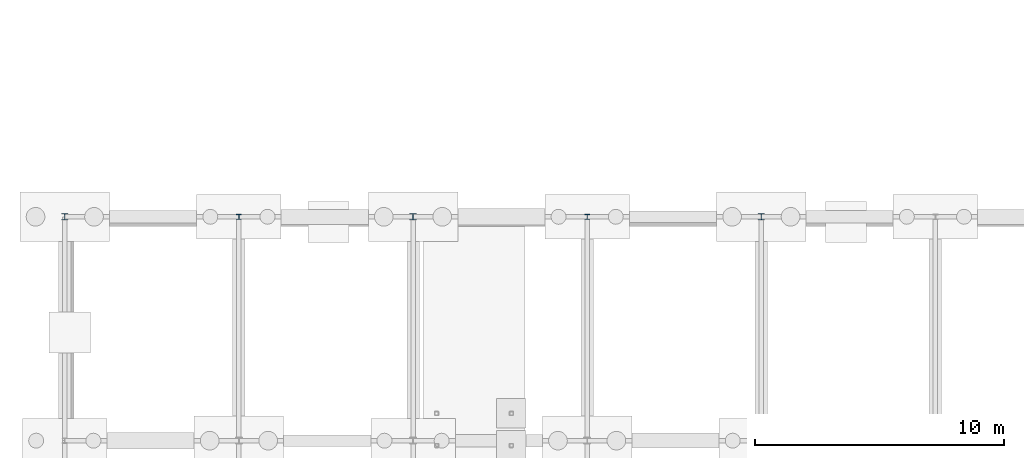
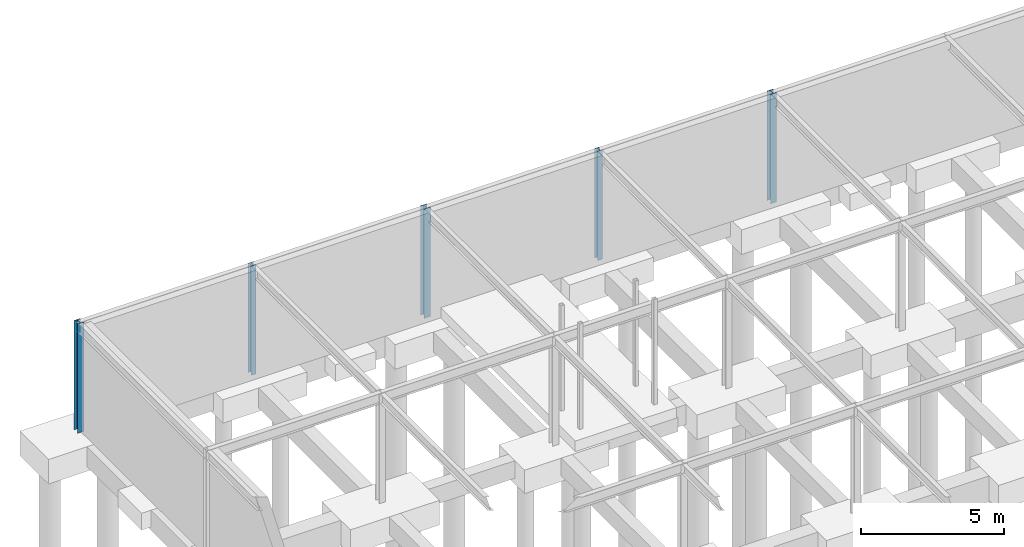
# One storey, part 25 of 75: 5 columns.
"""IFC4 building model written with IfcOpenShell, lengths in metres."""

from ifc_helpers import new_model, si_unit, derived_unit, direction, frame, origin, origin_2d_with_axis, place, context, subcontext, project, spatial, i_section, extrude, material, material_profile, profile_set, type_object, element, save


model = new_model("IFC4")

# Units and contexts
model_context = context("Model", 3, precision=1e-05, world=origin(), true_north=direction((0.0, 1.0)))
body_context = subcontext(model_context, "Body", "Model", "MODEL_VIEW")
ifc_project = project(units=[si_unit("LENGTHUNIT", "METRE"), si_unit("AREAUNIT", "SQUARE_METRE"), si_unit("VOLUMEUNIT", "CUBIC_METRE"), si_unit("PLANEANGLEUNIT", "RADIAN"), si_unit("MASSUNIT", "GRAM", prefix="KILO"), derived_unit("THERMALTRANSMITTANCEUNIT", [(si_unit("POWERUNIT", "WATT"), 1), (si_unit("LENGTHUNIT", "METRE"), -2), (si_unit("THERMODYNAMICTEMPERATUREUNIT", "KELVIN"), -1)])], contexts=[model_context])

# Site, building, storey
site_placement = place(None, origin())
site = spatial("IfcSite", under=ifc_project, at=site_placement, CompositionType="ELEMENT")
building_placement = place(site_placement, origin())
building = spatial("IfcBuilding", under=site, at=building_placement, Name="Cinnabar Yard Market Hall", CompositionType="ELEMENT")
storey_placement = place(building_placement, frame((0.0, 0.0, -4.5)))
storey = spatial("IfcBuildingStorey", under=building, at=storey_placement, Name="B1", CompositionType="ELEMENT", Elevation=-4.5)

# Columns
ifc_material = material(Name="Steel Grade 300 (300 MPa)", Category="steel")
ifc_material_profile_1 = material_profile(ifc_material, i_section(OverallWidth=0.25390625, OverallDepth=0.25390625, WebThickness=0.008544921875, FlangeThickness=0.01416015625, FilletRadius=0.013916015625, at=origin_2d_with_axis()), Name="250UC72.9")
ifc_profile_set_1 = profile_set([ifc_material_profile_1], Name="Steel Grade 300 (300 MPa)")
column_type_1 = type_object("IfcColumnType", Name="COL-C11", PredefinedType="COLUMN", material=ifc_profile_set_1)
for number, where, z_axis, x_axis, name in (
    (1, (10.0, 84.0, -0.449951171875), (0.0, 0.0, 1.0), (1.0, 0.0, 0.0), "Pavilion Pier V2-01-05 B1"),
    (2, (24.0, 84.0, -0.449951171875), (0.0, 0.0, 1.0), (1.0, 0.0, 0.0), "Pavilion Pier V2-03-05 B1"),
    (3, (38.0, 84.0, -0.449951171875), (0.0, 0.0, 1.0), (1.0, 0.0, 0.0), "Pavilion Pier V2-05-05 B1"),
):
    element("IfcColumn", number, at=place(storey_placement, frame(where, z_axis=z_axis, x_axis=x_axis)), inside=storey, type_object=column_type_1, Name=name, PredefinedType="COLUMN", context=body_context, shape_type="SweptSolid", body=[
        extrude(i_section(OverallWidth=0.25390625, OverallDepth=0.25390625, WebThickness=0.008544921875, FlangeThickness=0.01416015625, FilletRadius=0.013916015625, at=origin_2d_with_axis()), origin(), (0.0, 0.0, 1.0), 4.669921875),
    ])
ifc_material_profile_2 = material_profile(ifc_material, i_section(OverallWidth=0.205078125, OverallDepth=0.209716796875, WebThickness=0.00927734375, FlangeThickness=0.01416015625, FilletRadius=0.011474609375, at=origin_2d_with_axis()), Name="200UC59.5")
ifc_profile_set_2 = profile_set([ifc_material_profile_2], Name="Steel Grade 300 (300 MPa)")
column_type_2 = type_object("IfcColumnType", Name="COL-C12", PredefinedType="COLUMN", material=ifc_profile_set_2)
for number, where, z_axis, x_axis, name in (
    (4, (17.0, 84.0, -0.449951171875), (0.0, 0.0, 1.0), (1.0, 0.0, 0.0), "Pavilion Pier V2-02-05 B1"),
    (5, (31.0, 84.0, -0.449951171875), (0.0, 0.0, 1.0), (1.0, 0.0, 0.0), "Pavilion Pier V2-04-05 B1"),
):
    element("IfcColumn", number, at=place(storey_placement, frame(where, z_axis=z_axis, x_axis=x_axis)), inside=storey, type_object=column_type_2, Name=name, PredefinedType="COLUMN", context=body_context, shape_type="SweptSolid", body=[
        extrude(i_section(OverallWidth=0.205078125, OverallDepth=0.209716796875, WebThickness=0.00927734375, FlangeThickness=0.01416015625, FilletRadius=0.011474609375, at=origin_2d_with_axis()), origin(), (0.0, 0.0, 1.0), 4.669921875),
    ])

save(model, "model.ifc")
